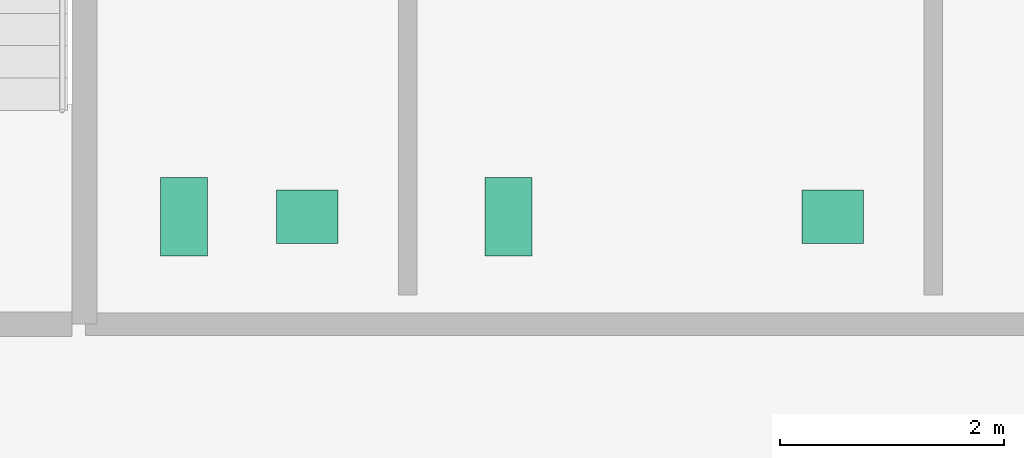
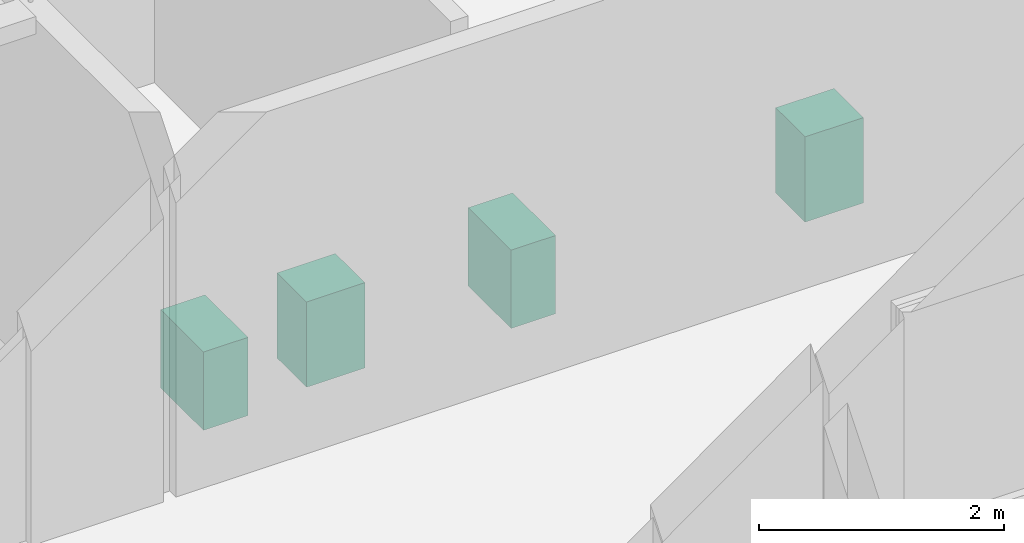
# One storey, part 12 of 12: 4 sanitary terminals.
"""IFC4 building model written with IfcOpenShell, lengths in metres."""

from ifc_helpers import new_model, si_unit, direction, frame, origin, origin_2d, place, context, subcontext, project, spatial, rectangle, extrude, material, type_object, element, save


model = new_model("IFC4")

# Units and contexts
model_context = context("Model", 3, precision=1e-05, world=origin(), true_north=direction((0.0, 1.0)))
body_context = subcontext(model_context, "Body", "Model", "MODEL_VIEW")
ifc_project = project(units=[si_unit("LENGTHUNIT", "METRE"), si_unit("AREAUNIT", "SQUARE_METRE"), si_unit("VOLUMEUNIT", "CUBIC_METRE"), si_unit("PLANEANGLEUNIT", "RADIAN"), si_unit("MASSUNIT", "GRAM", prefix="KILO")], contexts=[model_context])

# Site, building, storey
site_placement = place(None, origin())
site = spatial("IfcSite", under=ifc_project, at=site_placement, CompositionType="ELEMENT")
building_placement = place(site_placement, origin())
building = spatial("IfcBuilding", under=site, at=building_placement, Name="Norrvale University Quadrangle", CompositionType="ELEMENT")
storey_placement = place(building_placement, frame((0.0, 0.0, 240.800048828125)))
storey = spatial("IfcBuildingStorey", under=building, at=storey_placement, Name="L61", CompositionType="ELEMENT", Elevation=240.800048828125)

# Sanitary terminals
ifc_material = material(Name="Vitreous China Sanitaryware")
sanitary_terminal_type_1 = type_object("IfcSanitaryTerminalType", Name="Sanitary Wash Basin", PredefinedType="WASHHANDBASIN", material=ifc_material)
for number, where, z_axis, x_axis, name in (
    (1, (8.300048828125, 41.10009765625, 0.0), (0.0, 0.0, 1.0), (1.0, 0.0, 0.0), "Accessible Countertop Washbasin L61-1"),
    (2, (13.0, 41.10009765625, 0.0), (0.0, 0.0, 1.0), (1.0, 0.0, 0.0), "Accessible Countertop Washbasin L61-2"),
):
    element("IfcSanitaryTerminal", number, at=place(storey_placement, frame(where, z_axis=z_axis, x_axis=x_axis)), inside=storey, type_object=sanitary_terminal_type_1, Name=name, PredefinedType="WASHHANDBASIN", context=body_context, shape_type="SweptSolid", body=[
        extrude(rectangle(XDim=0.550048828125, YDim=0.47998046875, at=origin_2d()), origin(), (0.0, 0.0, 1.0), 0.85009765625),
    ])
sanitary_terminal_type_2 = type_object("IfcSanitaryTerminalType", Name="Sanitary Water Closet", PredefinedType="TOILETPAN", material=ifc_material)
for number, where, z_axis, x_axis, name in (
    (3, (7.199951171875, 41.10009765625, 0.0), (0.0, 0.0, 1.0), (1.0, 0.0, 0.0), "Wall-Hung Water Closet L61-1"),
    (4, (10.10009765625, 41.10009765625, 0.0), (0.0, 0.0, 1.0), (1.0, 0.0, 0.0), "Wall-Hung Water Closet L61-2"),
):
    element("IfcSanitaryTerminal", number, at=place(storey_placement, frame(where, z_axis=z_axis, x_axis=x_axis)), inside=storey, type_object=sanitary_terminal_type_2, Name=name, PredefinedType="TOILETPAN", context=body_context, shape_type="SweptSolid", body=[
        extrude(rectangle(XDim=0.419921875, YDim=0.699951171875, at=origin_2d()), origin(), (0.0, 0.0, 1.0), 0.780029296875),
    ])

save(model, "model.ifc")
